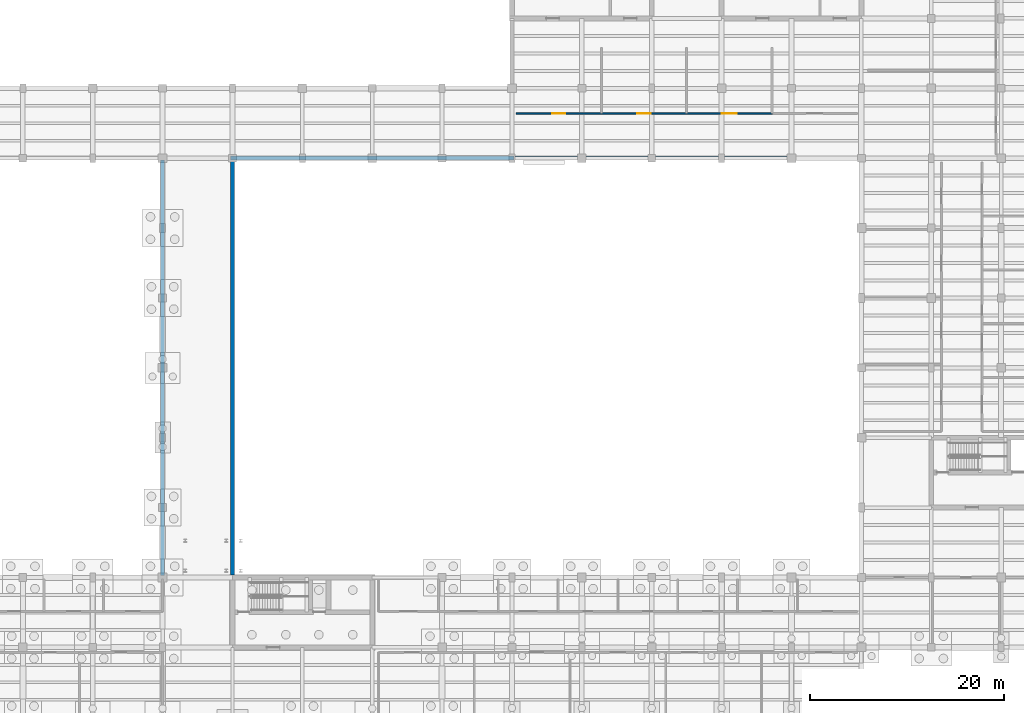
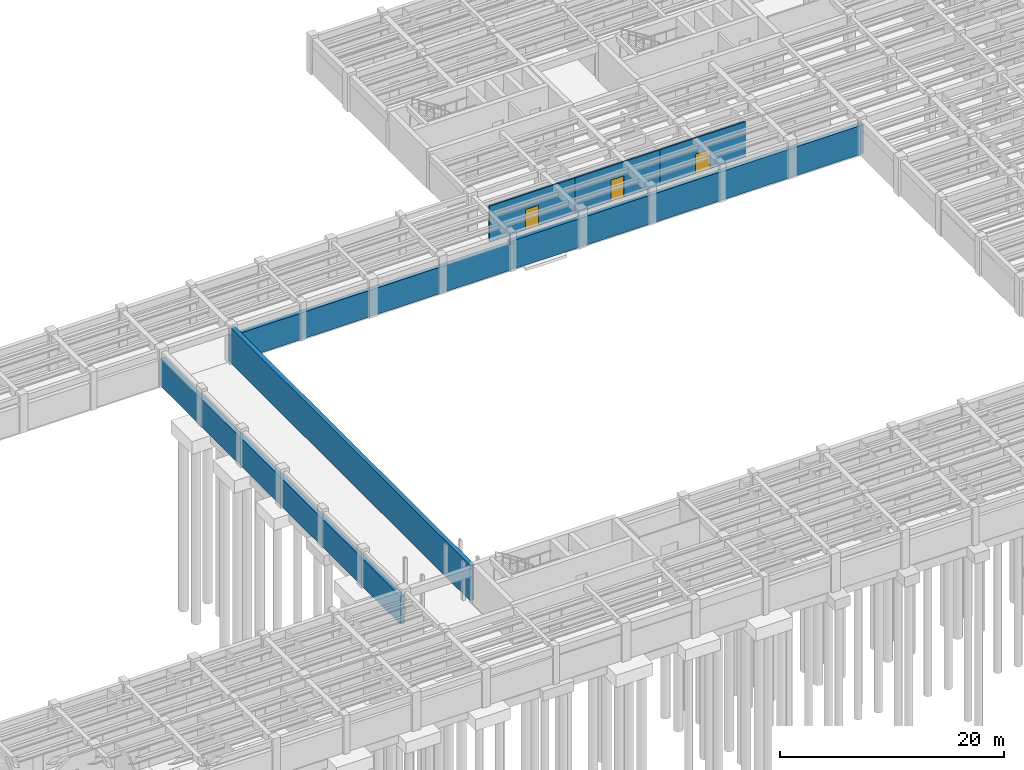
# One storey, part 20 of 33: 7 walls, 3 doors, 3 openings.
"""IFC4 building model written with IfcOpenShell, lengths in metres."""

from ifc_helpers import new_model, si_unit, direction, frame, frame_2d, origin, place, context, subcontext, project, spatial, rectangle, extrude, material, layer, layer_set, type_object, element, fill, save


model = new_model("IFC4")

# Units and contexts
model_context = context("Model", 3, precision=1e-05, world=origin(), true_north=direction((0.0, 1.0)))
body_context = subcontext(model_context, "Body", "Model", "MODEL_VIEW")
ifc_project = project(units=[si_unit("LENGTHUNIT", "METRE"), si_unit("AREAUNIT", "SQUARE_METRE"), si_unit("VOLUMEUNIT", "CUBIC_METRE"), si_unit("PLANEANGLEUNIT", "RADIAN"), si_unit("MASSUNIT", "GRAM", prefix="KILO")], contexts=[model_context])

# Site, building, storey
site_placement = place(None, origin())
site = spatial("IfcSite", under=ifc_project, at=site_placement, CompositionType="ELEMENT")
building_placement = place(site_placement, origin())
building = spatial("IfcBuilding", under=site, at=building_placement, Name="Mithqara Police Headquarters", CompositionType="ELEMENT")
storey_placement = place(building_placement, frame((0.0, 0.0, -4.199951171875)))
storey = spatial("IfcBuildingStorey", under=building, at=storey_placement, Name="B1", CompositionType="ELEMENT", Elevation=-4.199951171875)

# Wall, opening, door
ifc_material_1 = material(Name="Gypsum acoustic stud partition", Category="gypsum")
ifc_layer_1 = layer(ifc_material_1, 0.159912109375, Name="Gypsum acoustic stud partition")
ifc_layer_set_1 = layer_set([ifc_layer_1], Name="Gypsum acoustic stud partition")
wall_type_1 = type_object("IfcWallType", Name="PART WALL 160", PredefinedType="PARTITIONING", material=ifc_layer_set_1)
wall_1_placement = place(storey_placement, frame((109.02001953125, 83.219970703125, 0.0), z_axis=(0.0, 0.0, 1.0), x_axis=(1.0, 0.0, 0.0)))
wall_1 = element("IfcWall", 1, at=wall_1_placement, inside=storey, type_object=wall_type_1, Name="B1 Corridor Wall Patrol Car Park", PredefinedType="PARTITIONING", context=body_context, shape_type="SweptSolid", body=[
    extrude(rectangle(XDim=8.7900390625, YDim=0.159912109375, at=frame_2d((4.39501953125, 0.0))), origin(), (0.0, 0.0, 1.0), 3.8798828125),
])
opening_1_placement = place(wall_1_placement, frame((3.715087890625, 0.0, 0.0)))
opening_1 = element("IfcOpeningElement", 2, at=opening_1_placement, cuts=wall_1, Name="Opening D-17", PredefinedType="OPENING", context=body_context, shape_type="SweptSolid", body=[
    extrude(rectangle(XDim=1.360107421875, YDim=2.219970703125, at=frame_2d((0.68017578125, 1.10986328125))), frame((0.0, 0.08984375, 0.0), z_axis=(0.0, -1.0, 0.0), x_axis=(1.0, 0.0, 0.0)), (0.0, 0.0, 1.0), 0.179931640625),
])
ifc_material_2 = material(Name="Bronze anodised aluminium 6063-T6", Category="aluminium")
door_type_1 = type_object("IfcDoorType", Name="INT DOOR 1360X2220", OperationType="NOTDEFINED", PredefinedType="DOOR", material=ifc_material_2)
door_1_placement = place(opening_1_placement, origin())
door_1 = element("IfcDoor", 3, at=door_1_placement, inside=storey, type_object=door_type_1, Name="Patrol Car Park Entry Door", OperationType="SINGLE_SWING_RIGHT", OverallHeight=2.219970703125, OverallWidth=1.360107421875, PredefinedType="DOOR", context=body_context, shape_type="SweptSolid", body=[
    extrude(rectangle(XDim=1.360107421875, YDim=2.219970703125, at=frame_2d((0.68017578125, 1.10986328125))), frame((0.0, 0.02490234375, 0.0), z_axis=(0.0, -1.0, 0.0), x_axis=(1.0, 0.0, 0.0)), (0.0, 0.0, 1.0), 0.050048828125),
])
fill(opening_1, door_1)

wall_2_placement = place(storey_placement, frame((117.81005859375, 83.219970703125, 0.0), z_axis=(0.0, 0.0, 1.0), x_axis=(1.0, 0.0, 0.0)))
wall_2 = element("IfcWall", 4, at=wall_2_placement, inside=storey, type_object=wall_type_1, Name="B1 Corridor Wall Fleet Dispatch Booth", PredefinedType="PARTITIONING", context=body_context, shape_type="SweptSolid", body=[
    extrude(rectangle(XDim=8.7900390625, YDim=0.159912109375, at=frame_2d((4.39501953125, 0.0))), origin(), (0.0, 0.0, 1.0), 3.8798828125),
])
opening_2_placement = place(wall_2_placement, frame((3.715087890625, 0.0, 0.0)))
opening_2 = element("IfcOpeningElement", 5, at=opening_2_placement, cuts=wall_2, Name="Opening D-18", PredefinedType="OPENING", context=body_context, shape_type="SweptSolid", body=[
    extrude(rectangle(XDim=1.360107421875, YDim=2.35009765625, at=frame_2d((0.68017578125, 1.175048828125))), frame((0.0, 0.08984375, 0.0), z_axis=(0.0, -1.0, 0.0), x_axis=(1.0, 0.0, 0.0)), (0.0, 0.0, 1.0), 0.179931640625),
])
door_type_2 = type_object("IfcDoorType", Name="INT DOOR 1360X2350", OperationType="NOTDEFINED", PredefinedType="DOOR", material=ifc_material_2)
door_2_placement = place(opening_2_placement, origin())
door_2 = element("IfcDoor", 6, at=door_2_placement, inside=storey, type_object=door_type_2, Name="Fleet Dispatch Booth Entry Door", OperationType="SINGLE_SWING_LEFT", OverallHeight=2.35009765625, OverallWidth=1.360107421875, PredefinedType="DOOR", context=body_context, shape_type="SweptSolid", body=[
    extrude(rectangle(XDim=1.360107421875, YDim=2.35009765625, at=frame_2d((0.68017578125, 1.175048828125))), frame((0.0, 0.02490234375, 0.0), z_axis=(0.0, -1.0, 0.0), x_axis=(1.0, 0.0, 0.0)), (0.0, 0.0, 1.0), 0.050048828125),
])
fill(opening_2, door_2)

wall_3_placement = place(storey_placement, frame((126.60009765625, 83.219970703125, 0.0), z_axis=(0.0, 0.0, 1.0), x_axis=(1.0, 0.0, 0.0)))
wall_3 = element("IfcWall", 7, at=wall_3_placement, inside=storey, type_object=wall_type_1, Name="B1 Corridor Wall Accessible WC", PredefinedType="PARTITIONING", context=body_context, shape_type="SweptSolid", body=[
    extrude(rectangle(XDim=8.789794921875, YDim=0.159912109375, at=frame_2d((4.39501953125, 0.0))), origin(), (0.0, 0.0, 1.0), 3.8798828125),
])
opening_3_placement = place(wall_3_placement, frame((3.635009765625, 0.0, 0.0)))
opening_3 = element("IfcOpeningElement", 8, at=opening_3_placement, cuts=wall_3, Name="Opening D-19", PredefinedType="OPENING", context=body_context, shape_type="SweptSolid", body=[
    extrude(rectangle(XDim=1.52001953125, YDim=2.10009765625, at=frame_2d((0.760009765625, 1.050048828125))), frame((0.0, 0.08984375, 0.0), z_axis=(0.0, -1.0, 0.0), x_axis=(1.0, 0.0, 0.0)), (0.0, 0.0, 1.0), 0.179931640625),
])
door_type_3 = type_object("IfcDoorType", Name="INT DOOR 1520X2100", OperationType="NOTDEFINED", PredefinedType="DOOR", material=ifc_material_2)
door_3_placement = place(opening_3_placement, origin())
door_3 = element("IfcDoor", 9, at=door_3_placement, inside=storey, type_object=door_type_3, Name="Accessible WC Entry Door", OperationType="DOUBLE_DOOR_SINGLE_SWING", OverallHeight=2.10009765625, OverallWidth=1.52001953125, PredefinedType="DOOR", context=body_context, shape_type="SweptSolid", body=[
    extrude(rectangle(XDim=1.52001953125, YDim=2.10009765625, at=frame_2d((0.760009765625, 1.050048828125))), frame((0.0, 0.02490234375, 0.0), z_axis=(0.0, -1.0, 0.0), x_axis=(1.0, 0.0, 0.0)), (0.0, 0.0, 1.0), 0.050048828125),
])
fill(opening_3, door_3)

# Walls
ifc_material_3 = material(Name="Concrete C40/50", Category="concrete")
ifc_layer_2 = layer(ifc_material_3, 0.419921875, Name="Concrete C40/50")
ifc_layer_set_2 = layer_set([ifc_layer_2], Name="Concrete C40/50")
wall_type_2 = type_object("IfcWallType", Name="RETAINING WALL 420", PredefinedType="USERDEFINED", material=ifc_layer_set_2)
wall_4_placement = place(storey_placement, frame((72.60009765625, 35.60009765625, 0.0), z_axis=(0.0, 0.0, 1.0), x_axis=(0.0, 1.0, 0.0)))
element("IfcWall", 10, at=wall_4_placement, inside=storey, type_object=wall_type_2, Name="B1 Perimeter Retaining Wall 18", ObjectType="RETAININGWALL", PredefinedType="USERDEFINED", context=body_context, shape_type="SweptSolid", body=[
    extrude(rectangle(XDim=42.7998046875, YDim=0.419921875, at=frame_2d((21.39990234375, 0.0))), origin(), (0.0, 0.0, 1.0), 3.030029296875),
])
wall_5_placement = place(storey_placement, frame((144.81005859375, 78.60009765625, 0.0), z_axis=(0.0, 0.0, 1.0), x_axis=(-1.0, 0.0, 0.0)))
element("IfcWall", 11, at=wall_5_placement, inside=storey, type_object=wall_type_2, Name="B1 Perimeter Retaining Wall 24", ObjectType="RETAININGWALL", PredefinedType="USERDEFINED", context=body_context, shape_type="SweptSolid", body=[
    extrude(rectangle(XDim=36.420166015625, YDim=0.419921875, at=frame_2d((18.2099609375, 0.0))), origin(), (0.0, 0.0, 1.0), 3.1298828125),
])
wall_6_placement = place(storey_placement, frame((108.81005859375, 78.60009765625, 0.0), z_axis=(0.0, 0.0, 1.0), x_axis=(-1.0, 0.0, 0.0)))
element("IfcWall", 12, at=wall_6_placement, inside=storey, type_object=wall_type_2, Name="B1 Perimeter Retaining Wall 25", ObjectType="RETAININGWALL", PredefinedType="USERDEFINED", context=body_context, shape_type="SweptSolid", body=[
    extrude(rectangle(XDim=29.219970703125, YDim=0.419921875, at=frame_2d((14.60986328125, 0.0))), origin(), (0.0, 0.0, 1.0), 2.8798828125),
])
wall_7_placement = place(storey_placement, frame((79.800048828125, 78.39990234375, 0.0), z_axis=(0.0, 0.0, 1.0), x_axis=(0.0, -1.0, 0.0)))
element("IfcWall", 13, at=wall_7_placement, inside=storey, type_object=wall_type_2, Name="B1 Perimeter Retaining Wall 26", ObjectType="RETAININGWALL", PredefinedType="USERDEFINED", context=body_context, shape_type="SweptSolid", body=[
    extrude(rectangle(XDim=42.77001953125, YDim=0.419921875, at=frame_2d((21.385009765625, 0.0))), origin(), (0.0, 0.0, 1.0), 3.8798828125),
])

save(model, "model.ifc")
